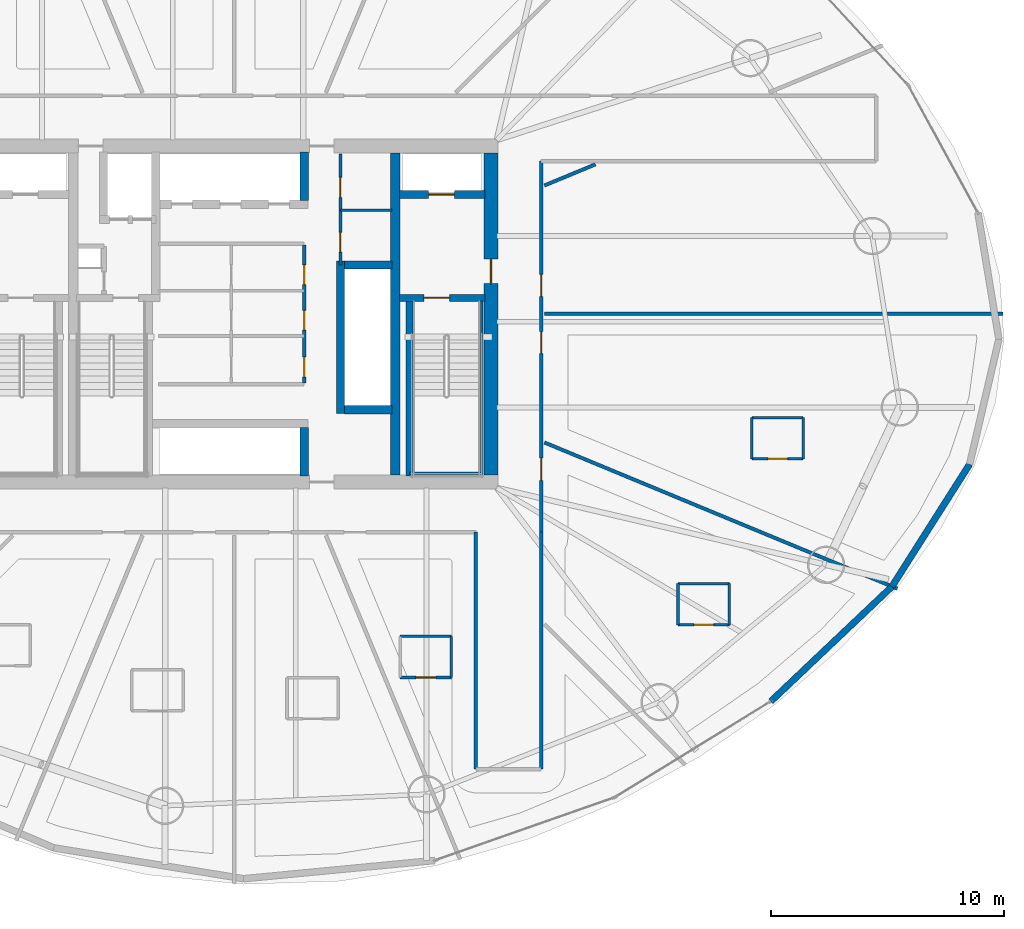
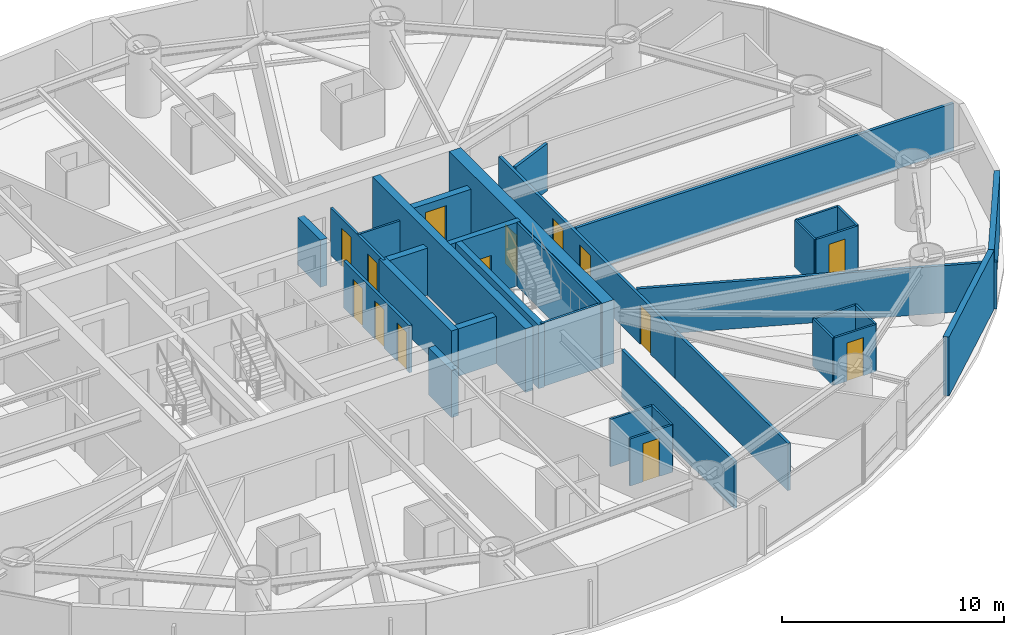
# One storey, part 20 of 27: 34 walls, 14 doors, 14 openings.
"""IFC4 building model written with IfcOpenShell, lengths in metres."""

from ifc_helpers import new_model, si_unit, direction, frame, frame_2d, origin, place, context, subcontext, project, spatial, rectangle, extrude, material, layer, layer_set, type_object, element, fill, save


model = new_model("IFC4")

# Units and contexts
model_context = context("Model", 3, precision=1e-05, world=origin(), true_north=direction((0.0, 1.0)))
body_context = subcontext(model_context, "Body", "Model", "MODEL_VIEW")
ifc_project = project(units=[si_unit("LENGTHUNIT", "METRE"), si_unit("AREAUNIT", "SQUARE_METRE"), si_unit("VOLUMEUNIT", "CUBIC_METRE"), si_unit("PLANEANGLEUNIT", "RADIAN"), si_unit("MASSUNIT", "GRAM", prefix="KILO")], contexts=[model_context])

# Site, building, storey
site_placement = place(None, origin())
site = spatial("IfcSite", under=ifc_project, at=site_placement, CompositionType="ELEMENT")
building_placement = place(site_placement, origin())
building = spatial("IfcBuilding", under=site, at=building_placement, Name="Bramvorn Convention Spire", CompositionType="ELEMENT")
storey_placement = place(building_placement, frame((0.0, 0.0, 44.89990234375)))
storey = spatial("IfcBuildingStorey", under=building, at=storey_placement, Name="L08", CompositionType="ELEMENT", Elevation=44.89990234375)

# Wall, opening, door
ifc_material_1 = material(Name="Concrete C60/70", Category="concrete")
ifc_layer_1 = layer(ifc_material_1, 0.60009765625)
ifc_layer_set_1 = layer_set([ifc_layer_1], Name="Concrete C60/70 - WL-CORE-600")
wall_type_1 = type_object("IfcWallType", Name="WL-CORE-600", PredefinedType="SHEAR", material=ifc_layer_set_1)
wall_1_placement = place(storey_placement, frame((49.0, 19.10009765625, 0.0), z_axis=(0.0, 0.0, 1.0), x_axis=(0.0, 1.0, 0.0)))
wall_1 = element("IfcWall", 1, at=wall_1_placement, inside=storey, type_object=wall_type_1, Name="L08 East RC core shear wall", PredefinedType="SHEAR", context=body_context, shape_type="SweptSolid", body=[
    extrude(rectangle(XDim=13.7998046875, YDim=0.60009765625, at=frame_2d((6.89990234375, 0.0))), origin(), (0.0, 0.0, 1.0), 3.5),
])
opening_1_placement = place(wall_1_placement, frame((8.199951171875, 0.0, 0.0)))
opening_1 = element("IfcOpeningElement", 2, at=opening_1_placement, cuts=wall_1, Name="Opening DL-105", PredefinedType="OPENING", context=body_context, shape_type="SweptSolid", body=[
    extrude(rectangle(XDim=1.050048828125, YDim=2.14990234375, at=frame_2d((0.52490234375, 1.074951171875))), frame((0.0, 0.31005859375, 0.0), z_axis=(0.0, -1.0, 0.0), x_axis=(1.0, 0.0, 0.0)), (0.0, 0.0, 1.0), 0.6201171875),
])
ifc_material_2 = material(Name="Smoke-Sealed Fire Lobby Timber-Core Door", Category="wood")
door_type_1 = type_object("IfcDoorType", Name="DR-LOBBY-1050", OperationType="NOTDEFINED", PredefinedType="DOOR", material=ifc_material_2)
door_1_placement = place(opening_1_placement, origin())
door_1 = element("IfcDoor", 3, at=door_1_placement, inside=storey, type_object=door_type_1, Name="L08 East Firefighting Lobby corridor door", OperationType="SINGLE_SWING_LEFT", OverallHeight=2.14990234375, OverallWidth=1.050048828125, PredefinedType="DOOR", context=body_context, shape_type="SweptSolid", body=[
    extrude(rectangle(XDim=1.050048828125, YDim=2.14990234375, at=frame_2d((0.52490234375, 1.074951171875))), frame((0.0, 0.02490234375, 0.0), z_axis=(0.0, -1.0, 0.0), x_axis=(1.0, 0.0, 0.0)), (0.0, 0.0, 1.0), 0.050048828125),
])
fill(opening_1, door_1)

ifc_material_3 = material(Name="Concrete C50/60", Category="concrete")
ifc_layer_2 = layer(ifc_material_3, 0.35009765625)
ifc_layer_set_2 = layer_set([ifc_layer_2], Name="Concrete C50/60 - WL-CORE-INT-350")
wall_type_2 = type_object("IfcWallType", Name="WL-CORE-INT-350", PredefinedType="SHEAR", material=ifc_layer_set_2)
wall_2_placement = place(storey_placement, frame((45.080078125, 31.1201171875, 0.0), z_axis=(0.0, 0.0, 1.0), x_axis=(1.0, 0.0, 0.0)))
wall_2 = element("IfcWall", 4, at=wall_2_placement, inside=storey, type_object=wall_type_2, Name="L08 FE2 shaft front wall", PredefinedType="SHEAR", context=body_context, shape_type="SweptSolid", body=[
    extrude(rectangle(XDim=3.669921875, YDim=0.35009765625, at=frame_2d((1.8349609375, 0.0))), origin(), (0.0, 0.0, 1.0), 2.60009765625),
])
opening_2_placement = place(wall_2_placement, frame((1.25, 0.0, 0.0)))
opening_2 = element("IfcOpeningElement", 5, at=opening_2_placement, cuts=wall_2, Name="Opening LD-110", PredefinedType="OPENING", context=body_context, shape_type="SweptSolid", body=[
    extrude(rectangle(XDim=1.10009765625, YDim=2.14990234375, at=frame_2d((0.550048828125, 1.074951171875))), frame((0.0, 0.18505859375, 0.0), z_axis=(0.0, -1.0, 0.0), x_axis=(1.0, 0.0, 0.0)), (0.0, 0.0, 1.0), 0.3701171875),
])
ifc_material_4 = material(Name="Firefighting & Service Lift Sliding Landing Door", Category="steel")
door_type_2 = type_object("IfcDoorType", Name="DR-LIFT-LD-1100", OperationType="NOTDEFINED", PredefinedType="DOOR", material=ifc_material_4)
door_2_placement = place(opening_2_placement, origin())
door_2 = element("IfcDoor", 6, at=door_2_placement, inside=storey, type_object=door_type_2, Name="L08 Lift FE2 Sliding Landing Door", OperationType="SLIDING_TO_LEFT", OverallHeight=2.14990234375, OverallWidth=1.10009765625, PredefinedType="DOOR", context=body_context, shape_type="SweptSolid", body=[
    extrude(rectangle(XDim=1.10009765625, YDim=2.14990234375, at=frame_2d((0.550048828125, 1.074951171875))), frame((0.0, 0.02490234375, 0.0), z_axis=(0.0, -1.0, 0.0), x_axis=(1.0, 0.0, 0.0)), (0.0, 0.0, 1.0), 0.050048828125),
])
fill(opening_2, door_2)

# Walls
wall_3_placement = place(storey_placement, frame((42.550048828125, 21.72998046875, 0.0), z_axis=(0.0, 0.0, 1.0), x_axis=(0.0, 1.0, 0.0)))
element("IfcWall", 7, at=wall_3_placement, inside=storey, type_object=wall_type_2, Name="L08 High-rise lift bank west wall", PredefinedType="SHEAR", context=body_context, shape_type="SweptSolid", body=[
    extrude(rectangle(XDim=6.5400390625, YDim=0.35009765625, at=frame_2d((3.27001953125, 0.0))), origin(), (0.0, 0.0, 1.0), 2.60009765625),
])
for number, where, z_axis, x_axis, name in (
    (8, (42.719970703125, 21.89990234375, 0.0), (0.0, 0.0, 1.0), (1.0, 0.0, 0.0), "L08 High-rise lift bank south wall"),
    (9, (42.719970703125, 28.10009765625, 0.0), (0.0, 0.0, 1.0), (1.0, 0.0, 0.0), "L08 High-rise lift bank north wall"),
):
    element("IfcWall", number, at=place(storey_placement, frame(where, z_axis=z_axis, x_axis=x_axis)), inside=storey, type_object=wall_type_2, Name=name, PredefinedType="SHEAR", context=body_context, shape_type="SweptSolid", body=[
        extrude(rectangle(XDim=2.030029296875, YDim=0.35009765625, at=frame_2d((1.01513671875, 0.0))), origin(), (0.0, 0.0, 1.0), 2.60009765625),
    ])
for number, where, z_axis, x_axis, name in (
    (10, (41.0, 30.8701171875, 0.0), (0.0, 0.0, 1.0), (0.0, 1.0, 0.0), "L08 Low-rise bank east cheek wall"),
    (11, (41.0, 19.050048828125, 0.0), (0.0, 0.0, 1.0), (0.0, 1.0, 0.0), "L08 Mid-rise bank east cheek wall"),
):
    element("IfcWall", number, at=place(storey_placement, frame(where, z_axis=z_axis, x_axis=x_axis)), inside=storey, type_object=wall_type_2, Name=name, PredefinedType="SHEAR", context=body_context, shape_type="SweptSolid", body=[
        extrude(rectangle(XDim=2.079833984375, YDim=0.35009765625, at=frame_2d((1.0400390625, 0.0))), origin(), (0.0, 0.0, 1.0), 2.60009765625),
    ])
ifc_layer_3 = layer(ifc_material_1, 0.39990234375)
ifc_layer_set_3 = layer_set([ifc_layer_3], Name="Concrete C60/70 - WL-CORE-INT-400")
wall_type_3 = type_object("IfcWallType", Name="WL-CORE-INT-400", PredefinedType="SHEAR", material=ifc_layer_set_3)
wall_4_placement = place(storey_placement, frame((44.89990234375, 19.10009765625, 0.0), z_axis=(0.0, 0.0, 1.0), x_axis=(0.0, 1.0, 0.0)))
element("IfcWall", 12, at=wall_4_placement, inside=storey, type_object=wall_type_3, Name="L08 East internal core shear web", PredefinedType="SHEAR", context=body_context, shape_type="SweptSolid", body=[
    extrude(rectangle(XDim=13.7998046875, YDim=0.39990234375, at=frame_2d((6.89990234375, 0.0))), origin(), (0.0, 0.0, 1.0), 3.5),
])
ifc_material_5 = material(Name="Precast Concrete C40/50 with Bronze Terracotta Rainscreen", Category="masonry")
ifc_layer_4 = layer(ifc_material_5, 0.300048828125)
ifc_layer_set_4 = layer_set([ifc_layer_4], Name="Precast Concrete C40/50 with Bronze Terracotta Rainscreen - WL-EXT-BRONZE-300")
wall_type_4 = type_object("IfcWallType", Name="WL-EXT-BRONZE-300", PredefinedType="SOLIDWALL", material=ifc_layer_set_4)
wall_5_placement = place(storey_placement, frame((66.17724609375, 14.31689453125, 0.0), z_axis=(0.0, 0.0, 1.0), x_axis=(-0.725822435786, -0.687882105967, 0.0)))
element("IfcWall", 13, at=wall_5_placement, inside=storey, type_object=wall_type_4, Name="L08 expressed bronze Gothic lancet pier wall 22", PredefinedType="SOLIDWALL", context=body_context, shape_type="SweptSolid", body=[
    extrude(rectangle(XDim=7.142578125, YDim=0.280029296875, at=frame_2d((3.5712890625, 0.0))), origin(), (0.0, 0.0, 1.0), 3.25),
])
wall_6_placement = place(storey_placement, frame((69.5078125, 19.560791015625, 0.0), z_axis=(0.0, 0.0, 1.0), x_axis=(-0.536135283321, -0.844132073776, 0.0)))
element("IfcWall", 14, at=wall_6_placement, inside=storey, type_object=wall_type_4, Name="L08 expressed bronze Gothic lancet pier wall 23", PredefinedType="SOLIDWALL", context=body_context, shape_type="SweptSolid", body=[
    extrude(rectangle(XDim=6.212158203125, YDim=0.280029296875, at=frame_2d((3.10595703125, 0.0))), origin(), (0.0, 0.0, 1.0), 3.25),
])
ifc_material_6 = material(Name="Lightweight En-Suite & Wet-Wall Partition", Category="gypsum")
ifc_layer_5 = layer(ifc_material_6, 0.110107421875)
ifc_layer_set_5 = layer_set([ifc_layer_5], Name="Lightweight En-Suite & Wet-Wall Partition - WL-PART-110")
wall_type_5 = type_object("IfcWallType", Name="WL-PART-110", PredefinedType="PARTITIONING", material=ifc_layer_set_5)
wall_7_placement = place(storey_placement, frame((42.550048828125, 30.449951171875, 0.0), z_axis=(0.0, 0.0, 1.0), x_axis=(1.0, 0.0, 0.0)))
element("IfcWall", 15, at=wall_7_placement, inside=storey, type_object=wall_type_5, Name="L08 KB NE divider", PredefinedType="PARTITIONING", context=body_context, shape_type="SweptSolid", body=[
    extrude(rectangle(XDim=2.199951171875, YDim=0.110107421875, at=frame_2d((1.10009765625, 0.0))), origin(), (0.0, 0.0, 1.0), 2.60009765625),
])

# Wall, opening, door
wall_8_placement = place(storey_placement, frame((45.10791015625, 10.42431640625, 0.0), z_axis=(0.0, 0.0, 1.0), x_axis=(1.0, 0.0, 0.0)))
wall_8 = element("IfcWall", 16, at=wall_8_placement, inside=storey, type_object=wall_type_5, Name="Hotel Suite 0814 en-suite south wall", PredefinedType="PARTITIONING", context=body_context, shape_type="SweptSolid", body=[
    extrude(rectangle(XDim=2.2001953125, YDim=0.110107421875, at=frame_2d((1.10009765625, 0.0))), origin(), (0.0, 0.0, 1.0), 2.60009765625),
])
opening_3_placement = place(wall_8_placement, frame((0.679931640625, 0.0, 0.0)))
opening_3 = element("IfcOpeningElement", 17, at=opening_3_placement, cuts=wall_8, Name="Opening DI-085", PredefinedType="OPENING", context=body_context, shape_type="SweptSolid", body=[
    extrude(rectangle(XDim=0.85009765625, YDim=2.10009765625, at=frame_2d((0.425048828125, 1.050048828125))), frame((0.0, 0.06494140625, 0.0), z_axis=(0.0, -1.0, 0.0), x_axis=(1.0, 0.0, 0.0)), (0.0, 0.0, 1.0), 0.130126953125),
])
ifc_material_7 = material(Name="En-Suite & Restroom Privacy Door", Category="wood")
door_type_3 = type_object("IfcDoorType", Name="DR-INT-850", OperationType="NOTDEFINED", PredefinedType="DOOR", material=ifc_material_7)
door_3_placement = place(opening_3_placement, origin())
door_3 = element("IfcDoor", 18, at=door_3_placement, inside=storey, type_object=door_type_3, Name="Hotel Suite 0814 En-Suite Bathroom door", OperationType="SINGLE_SWING_LEFT", OverallHeight=2.10009765625, OverallWidth=0.85009765625, PredefinedType="DOOR", context=body_context, shape_type="SweptSolid", body=[
    extrude(rectangle(XDim=0.85009765625, YDim=2.10009765625, at=frame_2d((0.425048828125, 1.050048828125))), frame((0.0, 0.02490234375, 0.0), z_axis=(0.0, -1.0, 0.0), x_axis=(1.0, 0.0, 0.0)), (0.0, 0.0, 1.0), 0.050048828125),
])
fill(opening_3, door_3)

# Walls
wall_9_placement = place(storey_placement, frame((45.10791015625, 12.18408203125, 0.0), z_axis=(0.0, 0.0, 1.0), x_axis=(1.0, 0.0, 0.0)))
element("IfcWall", 19, at=wall_9_placement, inside=storey, type_object=wall_type_5, Name="Hotel Suite 0814 en-suite north wall", PredefinedType="PARTITIONING", context=body_context, shape_type="SweptSolid", body=[
    extrude(rectangle(XDim=2.2001953125, YDim=0.110107421875, at=frame_2d((1.10009765625, 0.0))), origin(), (0.0, 0.0, 1.0), 2.60009765625),
])
wall_10_placement = place(storey_placement, frame((47.30810546875, 10.42431640625, 0.0), z_axis=(0.0, 0.0, 1.0), x_axis=(0.0, 1.0, 0.0)))
element("IfcWall", 20, at=wall_10_placement, inside=storey, type_object=wall_type_5, Name="Hotel Suite 0814 en-suite east wall", PredefinedType="PARTITIONING", context=body_context, shape_type="SweptSolid", body=[
    extrude(rectangle(XDim=1.759765625, YDim=0.110107421875, at=frame_2d((0.8798828125, 0.0))), origin(), (0.0, 0.0, 1.0), 2.60009765625),
])

# Wall, opening, door
wall_11_placement = place(storey_placement, frame((57.015869140625, 12.68310546875, 0.0), z_axis=(0.0, 0.0, 1.0), x_axis=(1.0, 0.0, 0.0)))
wall_11 = element("IfcWall", 21, at=wall_11_placement, inside=storey, type_object=wall_type_5, Name="Hotel Suite 0815 en-suite south wall", PredefinedType="PARTITIONING", context=body_context, shape_type="SweptSolid", body=[
    extrude(rectangle(XDim=2.199951171875, YDim=0.110107421875, at=frame_2d((1.10009765625, 0.0))), origin(), (0.0, 0.0, 1.0), 2.60009765625),
])
opening_4_placement = place(wall_11_placement, frame((0.679931640625, 0.0, 0.0)))
opening_4 = element("IfcOpeningElement", 22, at=opening_4_placement, cuts=wall_11, Name="Opening DI-085", PredefinedType="OPENING", context=body_context, shape_type="SweptSolid", body=[
    extrude(rectangle(XDim=0.85009765625, YDim=2.10009765625, at=frame_2d((0.425048828125, 1.050048828125))), frame((0.0, 0.06494140625, 0.0), z_axis=(0.0, -1.0, 0.0), x_axis=(1.0, 0.0, 0.0)), (0.0, 0.0, 1.0), 0.130126953125),
])
door_4_placement = place(opening_4_placement, origin())
door_4 = element("IfcDoor", 23, at=door_4_placement, inside=storey, type_object=door_type_3, Name="Hotel Suite 0815 En-Suite Bathroom door", OperationType="SINGLE_SWING_LEFT", OverallHeight=2.10009765625, OverallWidth=0.85009765625, PredefinedType="DOOR", context=body_context, shape_type="SweptSolid", body=[
    extrude(rectangle(XDim=0.85009765625, YDim=2.10009765625, at=frame_2d((0.425048828125, 1.050048828125))), frame((0.0, 0.02490234375, 0.0), z_axis=(0.0, -1.0, 0.0), x_axis=(1.0, 0.0, 0.0)), (0.0, 0.0, 1.0), 0.050048828125),
])
fill(opening_4, door_4)

# Walls
wall_12_placement = place(storey_placement, frame((57.015869140625, 14.443115234375, 0.0), z_axis=(0.0, 0.0, 1.0), x_axis=(1.0, 0.0, 0.0)))
element("IfcWall", 24, at=wall_12_placement, inside=storey, type_object=wall_type_5, Name="Hotel Suite 0815 en-suite north wall", PredefinedType="PARTITIONING", context=body_context, shape_type="SweptSolid", body=[
    extrude(rectangle(XDim=2.199951171875, YDim=0.110107421875, at=frame_2d((1.10009765625, 0.0))), origin(), (0.0, 0.0, 1.0), 2.60009765625),
])
for number, where, z_axis, x_axis, name in (
    (25, (57.015869140625, 12.68310546875, 0.0), (0.0, 0.0, 1.0), (0.0, 1.0, 0.0), "Hotel Suite 0815 en-suite west wall"),
    (26, (59.2158203125, 12.68310546875, 0.0), (0.0, 0.0, 1.0), (0.0, 1.0, 0.0), "Hotel Suite 0815 en-suite east wall"),
):
    element("IfcWall", number, at=place(storey_placement, frame(where, z_axis=z_axis, x_axis=x_axis)), inside=storey, type_object=wall_type_5, Name=name, PredefinedType="PARTITIONING", context=body_context, shape_type="SweptSolid", body=[
        extrude(rectangle(XDim=1.760009765625, YDim=0.110107421875, at=frame_2d((0.8798828125, 0.0))), origin(), (0.0, 0.0, 1.0), 2.60009765625),
    ])

# Wall, opening, door
wall_13_placement = place(storey_placement, frame((60.180419921875, 19.79736328125, 0.0), z_axis=(0.0, 0.0, 1.0), x_axis=(1.0, 0.0, 0.0)))
wall_13 = element("IfcWall", 27, at=wall_13_placement, inside=storey, type_object=wall_type_5, Name="Hotel Suite 0816 en-suite south wall", PredefinedType="PARTITIONING", context=body_context, shape_type="SweptSolid", body=[
    extrude(rectangle(XDim=2.199951171875, YDim=0.110107421875, at=frame_2d((1.10009765625, 0.0))), origin(), (0.0, 0.0, 1.0), 2.60009765625),
])
opening_5_placement = place(wall_13_placement, frame((0.679931640625, 0.0, 0.0)))
opening_5 = element("IfcOpeningElement", 28, at=opening_5_placement, cuts=wall_13, Name="Opening DI-085", PredefinedType="OPENING", context=body_context, shape_type="SweptSolid", body=[
    extrude(rectangle(XDim=0.85009765625, YDim=2.10009765625, at=frame_2d((0.425048828125, 1.050048828125))), frame((0.0, 0.06494140625, 0.0), z_axis=(0.0, -1.0, 0.0), x_axis=(1.0, 0.0, 0.0)), (0.0, 0.0, 1.0), 0.130126953125),
])
door_5_placement = place(opening_5_placement, origin())
door_5 = element("IfcDoor", 29, at=door_5_placement, inside=storey, type_object=door_type_3, Name="Hotel Suite 0816 En-Suite Bathroom door", OperationType="SINGLE_SWING_LEFT", OverallHeight=2.10009765625, OverallWidth=0.85009765625, PredefinedType="DOOR", context=body_context, shape_type="SweptSolid", body=[
    extrude(rectangle(XDim=0.85009765625, YDim=2.10009765625, at=frame_2d((0.425048828125, 1.050048828125))), frame((0.0, 0.02490234375, 0.0), z_axis=(0.0, -1.0, 0.0), x_axis=(1.0, 0.0, 0.0)), (0.0, 0.0, 1.0), 0.050048828125),
])
fill(opening_5, door_5)

# Walls
wall_14_placement = place(storey_placement, frame((60.180419921875, 21.557373046875, 0.0), z_axis=(0.0, 0.0, 1.0), x_axis=(1.0, 0.0, 0.0)))
element("IfcWall", 30, at=wall_14_placement, inside=storey, type_object=wall_type_5, Name="Hotel Suite 0816 en-suite north wall", PredefinedType="PARTITIONING", context=body_context, shape_type="SweptSolid", body=[
    extrude(rectangle(XDim=2.199951171875, YDim=0.110107421875, at=frame_2d((1.10009765625, 0.0))), origin(), (0.0, 0.0, 1.0), 2.60009765625),
])
for number, where, z_axis, x_axis, name in (
    (31, (60.180419921875, 19.79736328125, 0.0), (0.0, 0.0, 1.0), (0.0, 1.0, 0.0), "Hotel Suite 0816 en-suite west wall"),
    (32, (62.38037109375, 19.79736328125, 0.0), (0.0, 0.0, 1.0), (0.0, 1.0, 0.0), "Hotel Suite 0816 en-suite east wall"),
):
    element("IfcWall", number, at=place(storey_placement, frame(where, z_axis=z_axis, x_axis=x_axis)), inside=storey, type_object=wall_type_5, Name=name, PredefinedType="PARTITIONING", context=body_context, shape_type="SweptSolid", body=[
        extrude(rectangle(XDim=1.760009765625, YDim=0.110107421875, at=frame_2d((0.8798828125, 0.0))), origin(), (0.0, 0.0, 1.0), 2.60009765625),
    ])

# Wall, openings, doors
ifc_material_8 = material(Name="Metal-Stud Demountable Office Partition", Category="gypsum")
ifc_layer_6 = layer(ifc_material_8, 0.1298828125)
ifc_layer_set_6 = layer_set([ifc_layer_6], Name="Metal-Stud Demountable Office Partition - WL-PART-130")
wall_type_6 = type_object("IfcWallType", Name="WL-PART-130", PredefinedType="PARTITIONING", material=ifc_layer_set_6)
wall_15_placement = place(storey_placement, frame((42.550048828125, 28.10009765625, 0.0), z_axis=(0.0, 0.0, 1.0), x_axis=(0.0, 1.0, 0.0)))
wall_15 = element("IfcWall", 33, at=wall_15_placement, inside=storey, type_object=wall_type_6, Name="L08 KB NE split wall", PredefinedType="PARTITIONING", context=body_context, shape_type="SweptSolid", body=[
    extrude(rectangle(XDim=4.75, YDim=0.1298828125, at=frame_2d((2.375, 0.0))), origin(), (0.0, 0.0, 1.0), 2.60009765625),
])
opening_6_placement = place(wall_15_placement, frame((0.550048828125, 0.0, 0.0)))
opening_6 = element("IfcOpeningElement", 34, at=opening_6_placement, cuts=wall_15, Name="Opening DC-085", PredefinedType="OPENING", context=body_context, shape_type="SweptSolid", body=[
    extrude(rectangle(XDim=0.85009765625, YDim=2.10009765625, at=frame_2d((0.425048828125, 1.050048828125))), frame((0.0, 0.074951171875, 0.0), z_axis=(0.0, -1.0, 0.0), x_axis=(1.0, 0.0, 0.0)), (0.0, 0.0, 1.0), 0.14990234375),
])
opening_7_placement = place(wall_15_placement, frame((2.89990234375, 0.0, 0.0)))
opening_7 = element("IfcOpeningElement", 35, at=opening_7_placement, cuts=wall_15, Name="Opening DC-085", PredefinedType="OPENING", context=body_context, shape_type="SweptSolid", body=[
    extrude(rectangle(XDim=0.85009765625, YDim=2.10009765625, at=frame_2d((0.425048828125, 1.050048828125))), frame((0.0, 0.074951171875, 0.0), z_axis=(0.0, -1.0, 0.0), x_axis=(1.0, 0.0, 0.0)), (0.0, 0.0, 1.0), 0.14990234375),
])
ifc_material_9 = material(Name="Fire-Rated Core Washroom & IDF Door", Category="wood")
door_type_4 = type_object("IfcDoorType", Name="DR-CORE-850", OperationType="NOTDEFINED", PredefinedType="DOOR", material=ifc_material_9)
door_6_placement = place(opening_6_placement, origin())
door_6 = element("IfcDoor", 36, at=door_6_placement, inside=storey, type_object=door_type_4, Name="L08 Core Staff WC door", OperationType="SINGLE_SWING_LEFT", OverallHeight=2.10009765625, OverallWidth=0.85009765625, PredefinedType="DOOR", context=body_context, shape_type="SweptSolid", body=[
    extrude(rectangle(XDim=0.85009765625, YDim=2.10009765625, at=frame_2d((0.425048828125, 1.050048828125))), frame((0.0, 0.02490234375, 0.0), z_axis=(0.0, -1.0, 0.0), x_axis=(1.0, 0.0, 0.0)), (0.0, 0.0, 1.0), 0.050048828125),
])
fill(opening_6, door_6)
door_7_placement = place(opening_7_placement, origin())
door_7 = element("IfcDoor", 37, at=door_7_placement, inside=storey, type_object=door_type_4, Name="L08 Core Data Closet door", OperationType="SINGLE_SWING_LEFT", OverallHeight=2.10009765625, OverallWidth=0.85009765625, PredefinedType="DOOR", context=body_context, shape_type="SweptSolid", body=[
    extrude(rectangle(XDim=0.85009765625, YDim=2.10009765625, at=frame_2d((0.425048828125, 1.050048828125))), frame((0.0, 0.02490234375, 0.0), z_axis=(0.0, -1.0, 0.0), x_axis=(1.0, 0.0, 0.0)), (0.0, 0.0, 1.0), 0.050048828125),
])
fill(opening_7, door_7)

ifc_material_10 = material(Name="Acoustic Metal-Stud Tenant/Corridor Partition", Category="gypsum")
ifc_layer_7 = layer(ifc_material_10, 0.14990234375)
ifc_layer_set_7 = layer_set([ifc_layer_7], Name="Acoustic Metal-Stud Tenant/Corridor Partition - WL-PART-150")
wall_type_7 = type_object("IfcWallType", Name="WL-PART-150", PredefinedType="PARTITIONING", material=ifc_layer_set_7)
wall_16_placement = place(storey_placement, frame((41.0, 23.050048828125, 0.0), z_axis=(0.0, 0.0, 1.0), x_axis=(0.0, 1.0, 0.0)))
wall_16 = element("IfcWall", 38, at=wall_16_placement, inside=storey, type_object=wall_type_7, Name="L08 KB east core wall", PredefinedType="PARTITIONING", context=body_context, shape_type="SweptSolid", body=[
    extrude(rectangle(XDim=5.89990234375, YDim=0.14990234375, at=frame_2d((2.949951171875, 0.0))), origin(), (0.0, 0.0, 1.0), 2.60009765625),
])
opening_8_placement = place(wall_16_placement, frame((0.25, 0.0, 0.0)))
opening_8 = element("IfcOpeningElement", 39, at=opening_8_placement, cuts=wall_16, Name="Opening DC-085", PredefinedType="OPENING", context=body_context, shape_type="SweptSolid", body=[
    extrude(rectangle(XDim=0.85009765625, YDim=2.10009765625, at=frame_2d((0.425048828125, 1.050048828125))), frame((0.0, 0.0849609375, 0.0), z_axis=(0.0, -1.0, 0.0), x_axis=(1.0, 0.0, 0.0)), (0.0, 0.0, 1.0), 0.169921875),
])
opening_9_placement = place(wall_16_placement, frame((2.256103515625, 0.0, 0.0)))
opening_9 = element("IfcOpeningElement", 40, at=opening_9_placement, cuts=wall_16, Name="Opening DC-085", PredefinedType="OPENING", context=body_context, shape_type="SweptSolid", body=[
    extrude(rectangle(XDim=0.85009765625, YDim=2.10009765625, at=frame_2d((0.425048828125, 1.050048828125))), frame((0.0, 0.0849609375, 0.0), z_axis=(0.0, -1.0, 0.0), x_axis=(1.0, 0.0, 0.0)), (0.0, 0.0, 1.0), 0.169921875),
])
opening_10_placement = place(wall_16_placement, frame((4.202880859375, 0.0, 0.0)))
opening_10 = element("IfcOpeningElement", 41, at=opening_10_placement, cuts=wall_16, Name="Opening DC-085", PredefinedType="OPENING", context=body_context, shape_type="SweptSolid", body=[
    extrude(rectangle(XDim=0.85009765625, YDim=2.10009765625, at=frame_2d((0.425048828125, 1.050048828125))), frame((0.0, 0.0849609375, 0.0), z_axis=(0.0, -1.0, 0.0), x_axis=(1.0, 0.0, 0.0)), (0.0, 0.0, 1.0), 0.169921875),
])
door_8_placement = place(opening_8_placement, origin())
door_8 = element("IfcDoor", 42, at=door_8_placement, inside=storey, type_object=door_type_4, Name="L08 Accessible Core Restroom door", OperationType="SINGLE_SWING_LEFT", OverallHeight=2.10009765625, OverallWidth=0.85009765625, PredefinedType="DOOR", context=body_context, shape_type="SweptSolid", body=[
    extrude(rectangle(XDim=0.85009765625, YDim=2.10009765625, at=frame_2d((0.425048828125, 1.050048828125))), frame((0.0, 0.02490234375, 0.0), z_axis=(0.0, -1.0, 0.0), x_axis=(1.0, 0.0, 0.0)), (0.0, 0.0, 1.0), 0.050048828125),
])
fill(opening_8, door_8)
door_9_placement = place(opening_9_placement, origin())
door_9 = element("IfcDoor", 43, at=door_9_placement, inside=storey, type_object=door_type_4, Name="L08 Floor Housekeeping & Linen Store door", OperationType="SINGLE_SWING_LEFT", OverallHeight=2.10009765625, OverallWidth=0.85009765625, PredefinedType="DOOR", context=body_context, shape_type="SweptSolid", body=[
    extrude(rectangle(XDim=0.85009765625, YDim=2.10009765625, at=frame_2d((0.425048828125, 1.050048828125))), frame((0.0, 0.02490234375, 0.0), z_axis=(0.0, -1.0, 0.0), x_axis=(1.0, 0.0, 0.0)), (0.0, 0.0, 1.0), 0.050048828125),
])
fill(opening_9, door_9)
door_10_placement = place(opening_10_placement, origin())
door_10 = element("IfcDoor", 44, at=door_10_placement, inside=storey, type_object=door_type_4, Name="L08 Gender-Neutral Core WC door", OperationType="SINGLE_SWING_LEFT", OverallHeight=2.10009765625, OverallWidth=0.85009765625, PredefinedType="DOOR", context=body_context, shape_type="SweptSolid", body=[
    extrude(rectangle(XDim=0.85009765625, YDim=2.10009765625, at=frame_2d((0.425048828125, 1.050048828125))), frame((0.0, 0.02490234375, 0.0), z_axis=(0.0, -1.0, 0.0), x_axis=(1.0, 0.0, 0.0)), (0.0, 0.0, 1.0), 0.050048828125),
])
fill(opening_10, door_10)

wall_17_placement = place(storey_placement, frame((51.14990234375, 16.64990234375, 0.0), z_axis=(0.0, 0.0, 1.0), x_axis=(0.0, 1.0, 0.0)))
wall_17 = element("IfcWall", 45, at=wall_17_placement, inside=storey, type_object=wall_type_7, Name="L08 East ring corridor wall", PredefinedType="PARTITIONING", context=body_context, shape_type="SweptSolid", body=[
    extrude(rectangle(XDim=15.900146484375, YDim=0.14990234375, at=frame_2d((7.9501953125, 0.0))), origin(), (0.0, 0.0, 1.0), 2.60009765625),
])
opening_11_placement = place(wall_17_placement, frame((10.100830078125, 0.0, 0.0)))
opening_11 = element("IfcOpeningElement", 46, at=opening_11_placement, cuts=wall_17, Name="Opening DH-095", PredefinedType="OPENING", context=body_context, shape_type="SweptSolid", body=[
    extrude(rectangle(XDim=0.949951171875, YDim=2.14990234375, at=frame_2d((0.47509765625, 1.074951171875))), frame((0.0, 0.0849609375, 0.0), z_axis=(0.0, -1.0, 0.0), x_axis=(1.0, 0.0, 0.0)), (0.0, 0.0, 1.0), 0.169921875),
])
opening_12_placement = place(wall_17_placement, frame((2.222412109375, 0.0, 0.0)))
opening_12 = element("IfcOpeningElement", 47, at=opening_12_placement, cuts=wall_17, Name="Opening DH-095", PredefinedType="OPENING", context=body_context, shape_type="SweptSolid", body=[
    extrude(rectangle(XDim=0.949951171875, YDim=2.14990234375, at=frame_2d((0.47509765625, 1.074951171875))), frame((0.0, 0.0849609375, 0.0), z_axis=(0.0, -1.0, 0.0), x_axis=(1.0, 0.0, 0.0)), (0.0, 0.0, 1.0), 0.169921875),
])
opening_13_placement = place(wall_17_placement, frame((7.649169921875, 0.0, 0.0)))
opening_13 = element("IfcOpeningElement", 48, at=opening_13_placement, cuts=wall_17, Name="Opening DH-095", PredefinedType="OPENING", context=body_context, shape_type="SweptSolid", body=[
    extrude(rectangle(XDim=0.949951171875, YDim=2.14990234375, at=frame_2d((0.47509765625, 1.074951171875))), frame((0.0, 0.0849609375, 0.0), z_axis=(0.0, -1.0, 0.0), x_axis=(1.0, 0.0, 0.0)), (0.0, 0.0, 1.0), 0.169921875),
])
ifc_material_11 = material(Name="Solid-Core Acoustic Guestroom Entry Door", Category="wood")
door_type_5 = type_object("IfcDoorType", Name="DR-HOTEL-950", OperationType="NOTDEFINED", PredefinedType="DOOR", material=ifc_material_11)
door_11_placement = place(opening_11_placement, origin())
door_11 = element("IfcDoor", 49, at=door_11_placement, inside=storey, type_object=door_type_5, Name="L08 Hospitality Lounge 1 door", OperationType="SINGLE_SWING_RIGHT", OverallHeight=2.14990234375, OverallWidth=0.949951171875, PredefinedType="DOOR", context=body_context, shape_type="SweptSolid", body=[
    extrude(rectangle(XDim=0.949951171875, YDim=2.14990234375, at=frame_2d((0.47509765625, 1.074951171875))), frame((0.0, 0.02490234375, 0.0), z_axis=(0.0, -1.0, 0.0), x_axis=(1.0, 0.0, 0.0)), (0.0, 0.0, 1.0), 0.050048828125),
])
fill(opening_11, door_11)
door_12_placement = place(opening_12_placement, origin())
door_12 = element("IfcDoor", 50, at=door_12_placement, inside=storey, type_object=door_type_5, Name="Hotel Suite 0815 entry door", OperationType="SINGLE_SWING_RIGHT", OverallHeight=2.14990234375, OverallWidth=0.949951171875, PredefinedType="DOOR", context=body_context, shape_type="SweptSolid", body=[
    extrude(rectangle(XDim=0.949951171875, YDim=2.14990234375, at=frame_2d((0.47509765625, 1.074951171875))), frame((0.0, 0.02490234375, 0.0), z_axis=(0.0, -1.0, 0.0), x_axis=(1.0, 0.0, 0.0)), (0.0, 0.0, 1.0), 0.050048828125),
])
fill(opening_12, door_12)
door_13_placement = place(opening_13_placement, origin())
door_13 = element("IfcDoor", 51, at=door_13_placement, inside=storey, type_object=door_type_5, Name="Hotel Suite 0816 entry door", OperationType="SINGLE_SWING_LEFT", OverallHeight=2.14990234375, OverallWidth=0.949951171875, PredefinedType="DOOR", context=body_context, shape_type="SweptSolid", body=[
    extrude(rectangle(XDim=0.949951171875, YDim=2.14990234375, at=frame_2d((0.47509765625, 1.074951171875))), frame((0.0, 0.02490234375, 0.0), z_axis=(0.0, -1.0, 0.0), x_axis=(1.0, 0.0, 0.0)), (0.0, 0.0, 1.0), 0.050048828125),
])
fill(opening_13, door_13)

# Walls
for number, where, z_axis, x_axis, name in (
    (52, (48.35009765625, 6.5, 0.0), (0.0, 0.0, 1.0), (0.0, 1.0, 0.0), "L08 SE pinwheel wing west wall"),
    (53, (51.14990234375, 6.5, 0.0), (0.0, 0.0, 1.0), (0.0, 1.0, 0.0), "L08 SE pinwheel wing east wall"),
):
    element("IfcWall", number, at=place(storey_placement, frame(where, z_axis=z_axis, x_axis=x_axis)), inside=storey, type_object=wall_type_7, Name=name, PredefinedType="PARTITIONING", context=body_context, shape_type="SweptSolid", body=[
        extrude(rectangle(XDim=10.14990234375, YDim=0.14990234375, at=frame_2d((5.074951171875, 0.0))), origin(), (0.0, 0.0, 1.0), 2.60009765625),
    ])
wall_18_placement = place(storey_placement, frame((51.2900390625, 26.0, 0.0), z_axis=(0.0, 0.0, 1.0), x_axis=(1.0, 0.0, 0.0)))
element("IfcWall", 54, at=wall_18_placement, inside=storey, type_object=wall_type_7, Name="L08 Guestroom demising wall 1", PredefinedType="PARTITIONING", context=body_context, shape_type="SweptSolid", body=[
    extrude(rectangle(XDim=19.64892578125, YDim=0.14990234375, at=frame_2d((9.824462890625, 0.0))), origin(), (0.0, 0.0, 1.0), 2.60009765625),
])
wall_19_placement = place(storey_placement, frame((51.2900390625, 31.5048828125, 0.0), z_axis=(0.0, 0.0, 1.0), x_axis=(0.923887247067, 0.382664807249, 0.0)))
element("IfcWall", 55, at=wall_19_placement, inside=storey, type_object=wall_type_7, Name="L08 Guestroom demising wall 2", PredefinedType="PARTITIONING", context=body_context, shape_type="SweptSolid", body=[
    extrude(rectangle(XDim=2.364990234375, YDim=0.14990234375, at=frame_2d((1.1826171875, 0.0))), origin(), (0.0, 0.0, 1.0), 2.60009765625),
])
wall_20_placement = place(storey_placement, frame((51.2900390625, 20.4951171875, 0.0), z_axis=(0.0, 0.0, 1.0), x_axis=(0.923878179833, -0.382686698003, 0.0)))
element("IfcWall", 56, at=wall_20_placement, inside=storey, type_object=wall_type_7, Name="L08 Guestroom demising wall 16", PredefinedType="PARTITIONING", context=body_context, shape_type="SweptSolid", body=[
    extrude(rectangle(XDim=16.374755859375, YDim=0.14990234375, at=frame_2d((8.1875, 0.0))), origin(), (0.0, 0.0, 1.0), 2.60009765625),
])

# Wall, opening, door
ifc_layer_8 = layer(ifc_material_3, 0.300048828125)
ifc_layer_set_8 = layer_set([ifc_layer_8], Name="Concrete C50/60 - WL-POD-STAIR-300")
wall_type_8 = type_object("IfcWallType", Name="WL-POD-STAIR-300", PredefinedType="SHEAR", material=ifc_layer_set_8)
wall_21_placement = place(storey_placement, frame((45.080078125, 26.68994140625, 0.0), z_axis=(0.0, 0.0, 1.0), x_axis=(1.0, 0.0, 0.0)))
wall_21 = element("IfcWall", 57, at=wall_21_placement, inside=storey, type_object=wall_type_8, Name="L08 ST2 north fire wall", PredefinedType="SHEAR", context=body_context, shape_type="SweptSolid", body=[
    extrude(rectangle(XDim=3.669921875, YDim=0.300048828125, at=frame_2d((1.8349609375, 0.0))), origin(), (0.0, 0.0, 1.0), 3.5),
])
opening_14_placement = place(wall_21_placement, frame((1.050048828125, 0.0, 0.0)))
opening_14 = element("IfcOpeningElement", 58, at=opening_14_placement, cuts=wall_21, Name="Opening DS-110", PredefinedType="OPENING", context=body_context, shape_type="SweptSolid", body=[
    extrude(rectangle(XDim=1.10009765625, YDim=2.14990234375, at=frame_2d((0.550048828125, 1.074951171875))), frame((0.0, 0.159912109375, 0.0), z_axis=(0.0, -1.0, 0.0), x_axis=(1.0, 0.0, 0.0)), (0.0, 0.0, 1.0), 0.320068359375),
])
ifc_material_12 = material(Name="Fire-Rated Hollow Steel Stairwell Door", Category="steel")
door_type_6 = type_object("IfcDoorType", Name="DR-STAIR-1100", OperationType="NOTDEFINED", PredefinedType="DOOR", material=ifc_material_12)
door_14_placement = place(opening_14_placement, origin())
door_14 = element("IfcDoor", 59, at=door_14_placement, inside=storey, type_object=door_type_6, Name="L08 Stair ST2 fire door", OperationType="SINGLE_SWING_RIGHT", OverallHeight=2.14990234375, OverallWidth=1.10009765625, PredefinedType="DOOR", context=body_context, shape_type="SweptSolid", body=[
    extrude(rectangle(XDim=1.10009765625, YDim=2.14990234375, at=frame_2d((0.550048828125, 1.074951171875))), frame((0.0, 0.02490234375, 0.0), z_axis=(0.0, -1.0, 0.0), x_axis=(1.0, 0.0, 0.0)), (0.0, 0.0, 1.0), 0.050048828125),
])
fill(opening_14, door_14)

# Walls
wall_22_placement = place(storey_placement, frame((45.510009765625, 19.050048828125, 0.0), z_axis=(0.0, 0.0, 1.0), x_axis=(0.0, 1.0, 0.0)))
element("IfcWall", 60, at=wall_22_placement, inside=storey, type_object=wall_type_8, Name="L08 ST2 west bearing wall", PredefinedType="SHEAR", context=body_context, shape_type="SweptSolid", body=[
    extrude(rectangle(XDim=7.5, YDim=0.300048828125, at=frame_2d((3.75, 0.0))), origin(), (0.0, 0.0, 1.0), 3.5),
])
ifc_layer_9 = layer(ifc_material_3, 0.1201171875)
ifc_layer_set_9 = layer_set([ifc_layer_9], Name="Concrete C50/60 - WL-STAIR-RC-120")
wall_type_9 = type_object("IfcWallType", Name="WL-STAIR-RC-120", PredefinedType="SHEAR", material=ifc_layer_set_9)
wall_23_placement = place(storey_placement, frame((48.60498046875, 19.10009765625, 0.0), z_axis=(0.0, 0.0, 1.0), x_axis=(0.0, 1.0, 0.0)))
element("IfcWall", 61, at=wall_23_placement, inside=storey, type_object=wall_type_9, Name="L08 ST2 east bearing shear wall", PredefinedType="SHEAR", context=body_context, shape_type="SweptSolid", body=[
    extrude(rectangle(XDim=7.449951171875, YDim=0.1201171875, at=frame_2d((3.72509765625, 0.0))), origin(), (0.0, 0.0, 1.0), 3.5),
])
wall_24_placement = place(storey_placement, frame((45.510009765625, 19.159912109375, 0.0), z_axis=(0.0, 0.0, 1.0), x_axis=(1.0, 0.0, 0.0)))
element("IfcWall", 62, at=wall_24_placement, inside=storey, type_object=wall_type_9, Name="L08 ST2 south bearing shear wall", PredefinedType="SHEAR", context=body_context, shape_type="SweptSolid", body=[
    extrude(rectangle(XDim=3.094970703125, YDim=0.1201171875, at=frame_2d((1.54736328125, 0.0))), origin(), (0.0, 0.0, 1.0), 3.5),
])

save(model, "model.ifc")
